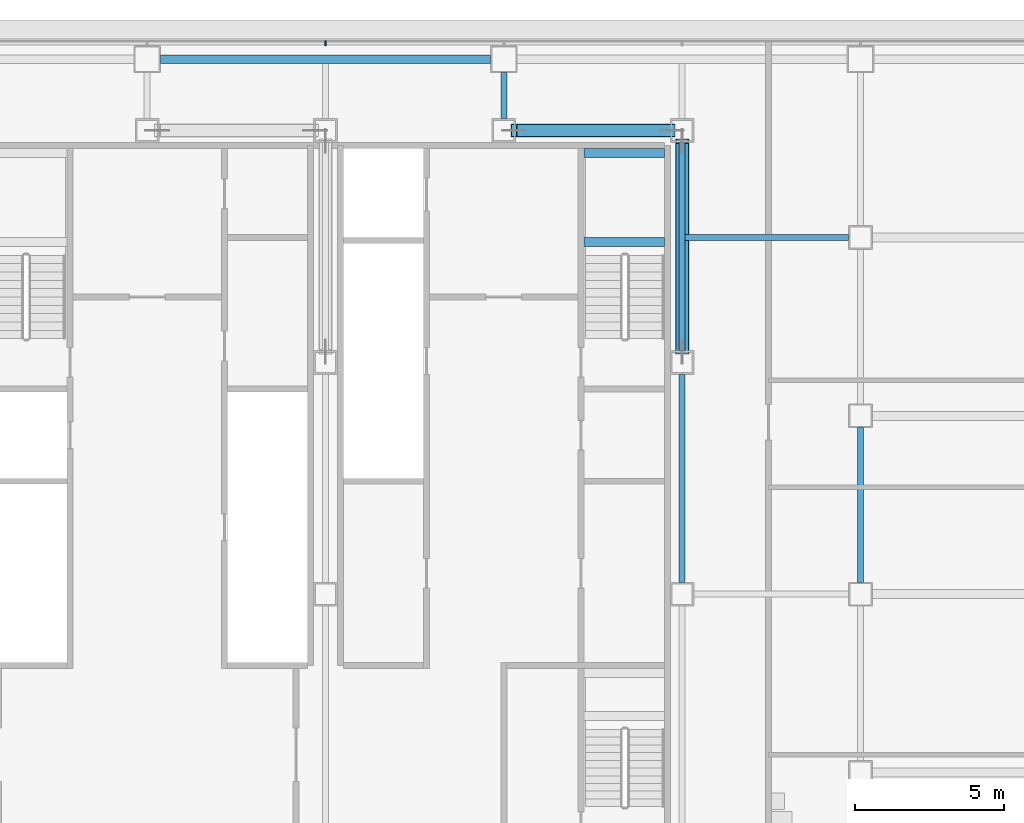
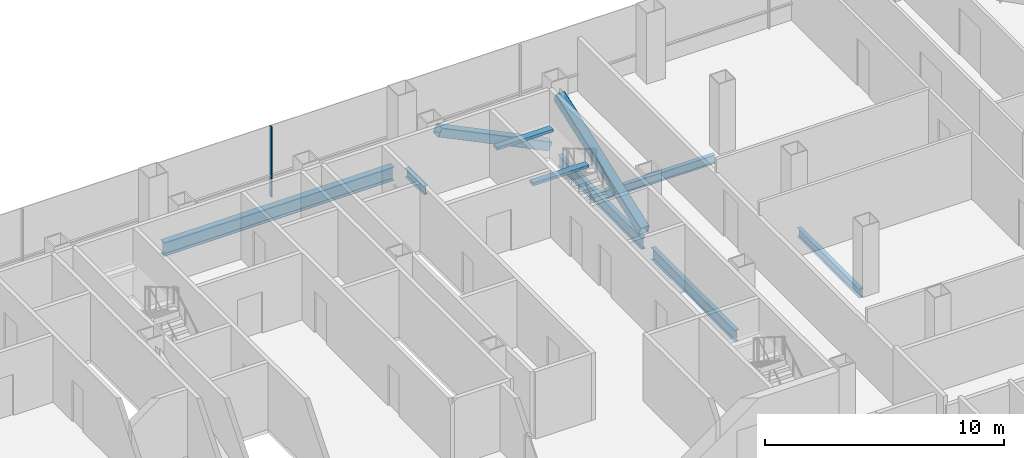
# One storey, part 13 of 28: 8 beams, 3 members, 1 element without a shape of its own.
"""IFC4 building model written with IfcOpenShell, lengths in metres."""

from ifc_helpers import new_model, si_unit, direction, frame, origin, origin_2d, place, context, subcontext, project, spatial, rectangle, hollow_rectangle, i_section, extrude, material, material_profile, profile_set, type_object, element, aggregate, save


model = new_model("IFC4")

# Units and contexts
model_context = context("Model", 3, precision=1e-05, world=origin(), true_north=direction((0.0, 1.0)))
body_context = subcontext(model_context, "Body", "Model", "MODEL_VIEW")
ifc_project = project(units=[si_unit("LENGTHUNIT", "METRE"), si_unit("AREAUNIT", "SQUARE_METRE"), si_unit("VOLUMEUNIT", "CUBIC_METRE"), si_unit("PLANEANGLEUNIT", "RADIAN"), si_unit("MASSUNIT", "GRAM", prefix="KILO")], contexts=[model_context])

# Site, building, storey
site_placement = place(None, origin())
site = spatial("IfcSite", under=ifc_project, at=site_placement, CompositionType="ELEMENT")
building_placement = place(site_placement, origin())
building = spatial("IfcBuilding", under=site, at=building_placement, Name="Sorahane Residences", CompositionType="ELEMENT")
storey_placement = place(building_placement, frame((0.0, 0.0, 60.60009765625)))
storey = spatial("IfcBuildingStorey", under=building, at=storey_placement, Name="L11", CompositionType="ELEMENT", Elevation=60.60009765625)

# Members
ifc_material_1 = material(Name="Steel Q355B", Category="steel")
ifc_material_profile_1 = material_profile(ifc_material_1, hollow_rectangle(XDim=0.449951171875, YDim=0.449951171875, WallThickness=0.02197265625, InnerFilletRadius=0.010986328125, OuterFilletRadius=0.032958984375, at=origin_2d()), Name="RHS 450x450x22")
ifc_profile_set_1 = profile_set([ifc_material_profile_1], Name="Steel Q355B")
member_type_1 = type_object("IfcMemberType", Name="Core brace RHS 450x450x22 Q355B", PredefinedType="BRACE", material=ifc_profile_set_1)
member_1_placement = place(storey_placement, frame((41.658935546875, 45.60009765625, 0.1962890625), z_axis=(-0.899894691922, 0.0, 0.436107261405), x_axis=(0.0, -1.0, 0.0)))
element("IfcMember", 1, at=member_1_placement, inside=storey, type_object=member_type_1, Name="Core brace L11 y45.6-6", PredefinedType="BRACE", context=body_context, shape_type="SweptSolid", body=[
    extrude(hollow_rectangle(XDim=0.449951171875, YDim=0.449951171875, WallThickness=0.02197265625, InnerFilletRadius=0.010986328125, OuterFilletRadius=0.032958984375, at=origin_2d()), origin(), (0.0, 0.0, 1.0), 5.909423828125),
])
member_2_placement = place(storey_placement, frame((42.0, 38.154296875, 0.20849609375), z_axis=(0.0, 0.940882869443, 0.338732085856), x_axis=(-1.0, 0.0, 0.0)))
element("IfcMember", 2, at=member_2_placement, inside=storey, type_object=member_type_1, Name="Core brace L11 x42-3", PredefinedType="BRACE", context=body_context, shape_type="SweptSolid", body=[
    extrude(hollow_rectangle(XDim=0.449951171875, YDim=0.449951171875, WallThickness=0.02197265625, InnerFilletRadius=0.010986328125, OuterFilletRadius=0.032958984375, at=origin_2d()), origin(), (0.0, 0.0, 1.0), 7.536865234375),
])

# Curtain wall, member
ifc_material_2 = material(Name="Dark low-e glass and black anodised aluminium", Category="aluminium")
curtain_wall_type = type_object("IfcCurtainWallType", Name="Curtain wall CW-1 Typical unitised wall", PredefinedType="NOTDEFINED", material=ifc_material_2)
curtain_wall_placement = place(storey_placement, origin())
curtain_wall = element("IfcCurtainWall", 3, at=curtain_wall_placement, inside=storey, type_object=curtain_wall_type, Name="CW-1 curtain wall L11 N1", PredefinedType="NOTDEFINED")
ifc_material_3 = material(Name="Black anodised aluminium", Category="aluminium")
ifc_material_profile_2 = material_profile(ifc_material_3, rectangle(XDim=0.159912109375, YDim=0.050048828125, at=origin_2d()), Name="Curtain wall mullion CW-1 black anodised aluminium 50x160")
ifc_profile_set_2 = profile_set([ifc_material_profile_2], Name="Black anodised aluminium")
member_type_2 = type_object("IfcMemberType", Name="Curtain wall mullion CW-1 black anodised aluminium 50x160", PredefinedType="MULLION", material=ifc_profile_set_2)
member_3_placement = place(storey_placement, frame((30.0, 48.5400390625, -0.18017578125), z_axis=(0.0, 0.0, 1.0), x_axis=(0.0, 1.0, 0.0)))
member_3 = element("IfcMember", 4, at=member_3_placement, type_object=member_type_2, Name="CW-1 mullion L11 N1.6", PredefinedType="MULLION", context=body_context, shape_type="SweptSolid", body=[
    extrude(rectangle(XDim=0.159912109375, YDim=0.050048828125, at=origin_2d()), origin(), (0.0, 0.0, 1.0), 3.60009765625),
])
aggregate(curtain_wall, [member_3])

# Beams
ifc_material_4 = material(Name="Concrete C40", Category="concrete")
ifc_material_profile_3 = material_profile(ifc_material_4, rectangle(XDim=0.300048828125, YDim=0.139892578125, at=origin_2d()), Name="300x140")
ifc_profile_set_3 = profile_set([ifc_material_profile_3], Name="Concrete C40")
beam_type_1 = type_object("IfcBeamType", Name="RC landing beam 300 x 140 Concrete C40", PredefinedType="BEAM", material=ifc_profile_set_3)
for number, where, z_axis, x_axis, name in (
    (5, (38.699951171875, 41.85009765625, 1.52978515625), (1.0, 0.0, 0.0), (0.0, 1.0, 0.0), "Landing beam"),
    (6, (38.699951171875, 44.85009765625, 1.52978515625), (1.0, 0.0, 0.0), (0.0, 1.0, 0.0), "Landing beam"),
):
    element("IfcBeam", number, at=place(storey_placement, frame(where, z_axis=z_axis, x_axis=x_axis)), inside=storey, type_object=beam_type_1, Name=name, PredefinedType="BEAM", context=body_context, shape_type="SweptSolid", body=[
        extrude(rectangle(XDim=0.300048828125, YDim=0.139892578125, at=origin_2d()), origin(), (0.0, 0.0, 1.0), 2.699951171875),
    ])
ifc_material_5 = material(Name="Steel Q355B", Category="steel")
ifc_material_profile_4 = material_profile(ifc_material_5, i_section(OverallWidth=0.199951171875, OverallDepth=0.449951171875, WebThickness=0.009033203125, FlangeThickness=0.013916015625, FilletRadius=0.02001953125, at=origin_2d()), Name="HN 450x200x9x14")
ifc_profile_set_4 = profile_set([ifc_material_profile_4], Name="Steel Q355B")
beam_type_2 = type_object("IfcBeamType", Name="Steel floor beam HN 450x200x9x14 Q355B", PredefinedType="BEAM", material=ifc_profile_set_4)
beam_1_placement = place(storey_placement, frame((36.0, 46.0, -0.405029296875), z_axis=(0.0, 1.0, 0.0), x_axis=(-1.0, 0.0, 0.0)))
element("IfcBeam", 7, at=beam_1_placement, inside=storey, type_object=beam_type_2, Name="Beam L11 043", PredefinedType="BEAM", context=body_context, shape_type="SweptSolid", body=[
    extrude(i_section(OverallWidth=0.199951171875, OverallDepth=0.449951171875, WebThickness=0.009033203125, FlangeThickness=0.013916015625, FilletRadius=0.02001953125, at=origin_2d()), origin(), (0.0, 0.0, 1.0), 1.550048828125),
])
beam_2_placement = place(storey_placement, frame((48.0, 30.39990234375, -0.405029296875), z_axis=(0.0, 1.0, 0.0), x_axis=(-1.0, 0.0, 0.0)))
element("IfcBeam", 8, at=beam_2_placement, inside=storey, type_object=beam_type_2, Name="Beam L11 053", PredefinedType="BEAM", context=body_context, shape_type="SweptSolid", body=[
    extrude(i_section(OverallWidth=0.199951171875, OverallDepth=0.449951171875, WebThickness=0.009033203125, FlangeThickness=0.013916015625, FilletRadius=0.02001953125, at=origin_2d()), origin(), (0.0, 0.0, 1.0), 5.2001953125),
])
beam_3_placement = place(storey_placement, frame((42.10009765625, 42.0, -0.405029296875), z_axis=(1.0, 0.0, 0.0), x_axis=(0.0, 1.0, 0.0)))
element("IfcBeam", 9, at=beam_3_placement, inside=storey, type_object=beam_type_2, Name="Beam L11 078", PredefinedType="BEAM", context=body_context, shape_type="SweptSolid", body=[
    extrude(i_section(OverallWidth=0.199951171875, OverallDepth=0.449951171875, WebThickness=0.009033203125, FlangeThickness=0.013916015625, FilletRadius=0.02001953125, at=origin_2d()), origin(), (0.0, 0.0, 1.0), 5.5),
])
ifc_material_6 = material(Name="Steel Q355B", Category="steel")
ifc_material_profile_5 = material_profile(ifc_material_6, i_section(OverallWidth=0.199951171875, OverallDepth=0.60009765625, WebThickness=0.010986328125, FlangeThickness=0.01708984375, FilletRadius=0.02392578125, at=origin_2d()), Name="HN 600x200x11x17")
ifc_profile_set_5 = profile_set([ifc_material_profile_5], Name="Steel Q355B")
beam_type_3 = type_object("IfcBeamType", Name="Steel floor beam HN 600x200x11x17 Q355B", PredefinedType="BEAM", material=ifc_profile_set_5)
for number, where, z_axis, x_axis, name in (
    (10, (42.0, 30.39990234375, -0.47998046875), (0.0, 1.0, 0.0), (-1.0, 0.0, 0.0), "Beam L11 047"),
    (11, (42.0, 38.199951171875, -0.47998046875), (0.0, 1.0, 0.0), (-1.0, 0.0, 0.0), "Beam L11 048"),
):
    element("IfcBeam", number, at=place(storey_placement, frame(where, z_axis=z_axis, x_axis=x_axis)), inside=storey, type_object=beam_type_3, Name=name, PredefinedType="BEAM", context=body_context, shape_type="SweptSolid", body=[
        extrude(i_section(OverallWidth=0.199951171875, OverallDepth=0.60009765625, WebThickness=0.010986328125, FlangeThickness=0.01708984375, FilletRadius=0.02392578125, at=origin_2d()), origin(), (0.0, 0.0, 1.0), 7.0),
    ])
ifc_material_7 = material(Name="Steel Q355B", Category="steel")
ifc_material_profile_6 = material_profile(ifc_material_7, i_section(OverallWidth=0.300048828125, OverallDepth=0.699951171875, WebThickness=0.012939453125, FlangeThickness=0.02392578125, FilletRadius=0.028076171875, at=origin_2d()), Name="HN 700x300x13x24")
ifc_profile_set_6 = profile_set([ifc_material_profile_6], Name="Steel Q355B")
beam_type_4 = type_object("IfcBeamType", Name="Steel floor beam HN 700x300x13x24 Q355B", PredefinedType="BEAM", material=ifc_profile_set_6)
beam_4_placement = place(storey_placement, frame((24.449951171875, 48.0, -0.530029296875), z_axis=(1.0, 0.0, 0.0), x_axis=(0.0, 1.0, 0.0)))
element("IfcBeam", 12, at=beam_4_placement, inside=storey, type_object=beam_type_4, Name="Beam L11 014", PredefinedType="BEAM", context=body_context, shape_type="SweptSolid", body=[
    extrude(i_section(OverallWidth=0.300048828125, OverallDepth=0.699951171875, WebThickness=0.012939453125, FlangeThickness=0.02392578125, FilletRadius=0.028076171875, at=origin_2d()), origin(), (0.0, 0.0, 1.0), 11.10009765625),
])

save(model, "model.ifc")
